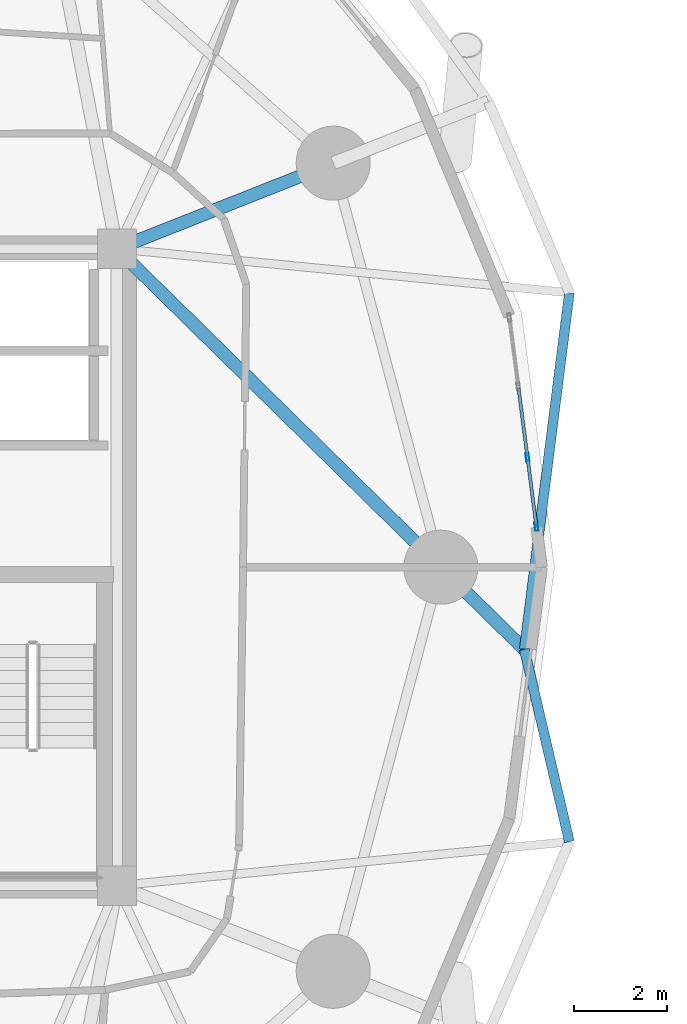
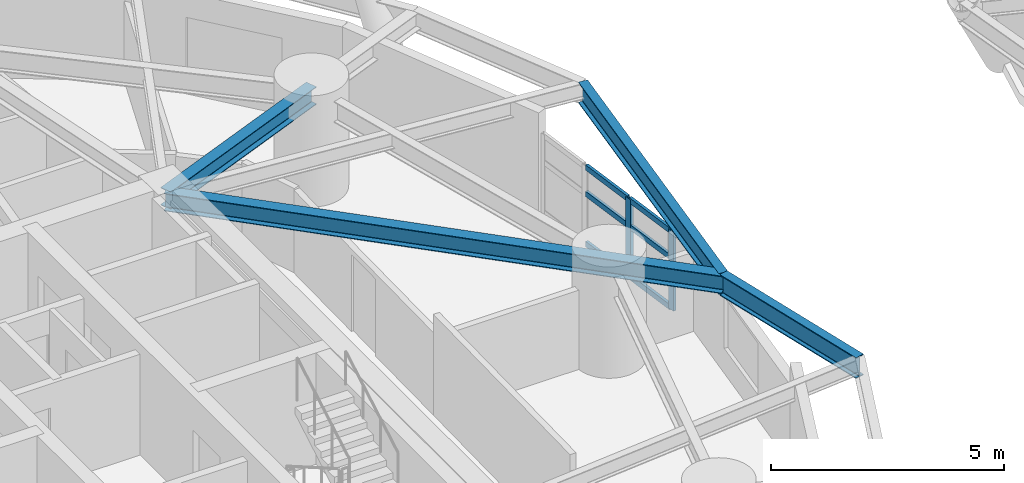
# One storey, part 2 of 17: 8 members, 4 beams, 1 element without a shape of its own.
"""IFC4 building model written with IfcOpenShell, lengths in metres."""

from ifc_helpers import new_model, si_unit, direction, frame, origin, origin_2d, place, context, subcontext, project, spatial, hollow_rectangle, i_section, extrude, material, layer, layer_set, material_profile, profile_set, type_object, element, aggregate, save


model = new_model("IFC4")

# Units and contexts
model_context = context("Model", 3, precision=1e-05, world=origin(), true_north=direction((0.0, 1.0)))
body_context = subcontext(model_context, "Body", "Model", "MODEL_VIEW")
ifc_project = project(units=[si_unit("LENGTHUNIT", "METRE"), si_unit("AREAUNIT", "SQUARE_METRE"), si_unit("VOLUMEUNIT", "CUBIC_METRE"), si_unit("PLANEANGLEUNIT", "RADIAN"), si_unit("MASSUNIT", "GRAM", prefix="KILO")], contexts=[model_context])

# Site, building, storey
site_placement = place(None, origin())
site = spatial("IfcSite", under=ifc_project, at=site_placement, CompositionType="ELEMENT")
building_placement = place(site_placement, origin())
building = spatial("IfcBuilding", under=site, at=building_placement, Name="Cununo Teusaquillo Station Towers", CompositionType="ELEMENT")
storey_placement = place(building_placement, frame((0.0, 0.0, 27.820068359375)))
storey = spatial("IfcBuildingStorey", under=building, at=storey_placement, Name="L07", CompositionType="ELEMENT", Elevation=27.820068359375)

# Beams
ifc_material_1 = material(Name="Steel ASTM A572 Grade 50", Category="steel")
ifc_material_profile_1 = material_profile(ifc_material_1, i_section(OverallWidth=0.280029296875, OverallDepth=0.462890625, WebThickness=0.0107421875, FlangeThickness=0.017333984375, FilletRadius=0.013916015625, at=origin_2d()), Name="W18X76")
ifc_profile_set_1 = profile_set([ifc_material_profile_1], Name="Steel ASTM A572 Grade 50")
beam_type_1 = type_object("IfcBeamType", Name="BM-RAD-G1", PredefinedType="BEAM", material=ifc_profile_set_1)
beam_1_placement = place(storey_placement, frame((21.675048828125, 31.3798828125, 2.41845703125), z_axis=(0.713055489462, -0.701107601548, 0.0), x_axis=(0.701107601548, 0.713055489462, 0.0)))
element("IfcBeam", 1, at=beam_1_placement, inside=storey, type_object=beam_type_1, Name="L07 Tower A Continuous Overhanging Radial Girder 01", PredefinedType="BEAM", context=body_context, shape_type="SweptSolid", body=[
    extrude(i_section(OverallWidth=0.280029296875, OverallDepth=0.462890625, WebThickness=0.0107421875, FlangeThickness=0.017333984375, FilletRadius=0.013916015625, at=origin_2d()), origin(), (0.0, 0.0, 1.0), 12.342041015625),
])
beam_2_placement = place(storey_placement, frame((21.675048828125, 31.3798828125, 2.41845703125), z_axis=(0.929864104313, 0.367903176814, 0.0), x_axis=(-0.367903176814, 0.929864104313, 0.0)))
element("IfcBeam", 2, at=beam_2_placement, inside=storey, type_object=beam_type_1, Name="L07 Tower A Radial Girder 02A", PredefinedType="BEAM", context=body_context, shape_type="SweptSolid", body=[
    extrude(i_section(OverallWidth=0.280029296875, OverallDepth=0.462890625, WebThickness=0.0107421875, FlangeThickness=0.017333984375, FilletRadius=0.013916015625, at=origin_2d()), origin(), (0.0, 0.0, 1.0), 5.02490234375),
])
ifc_material_2 = material(Name="Steel ASTM A572 Grade 50", Category="steel")
ifc_material_profile_2 = material_profile(ifc_material_2, i_section(OverallWidth=0.214111328125, OverallDepth=0.549072265625, WebThickness=0.0146484375, FlangeThickness=0.023681640625, FilletRadius=0.014892578125, at=origin_2d()), Name="W21X93")
ifc_profile_set_2 = profile_set([ifc_material_profile_2], Name="Steel ASTM A572 Grade 50")
beam_type_2 = type_object("IfcBeamType", Name="BM-RING-Z1", PredefinedType="SPANDREL", material=ifc_profile_set_2)
beam_3_placement = place(storey_placement, frame((30.4755859375, 22.726806640625, 2.37548828125), z_axis=(0.125458746224, 0.992098837312, 0.0), x_axis=(-0.992098837312, 0.125458746224, 0.0)))
element("IfcBeam", 3, at=beam_3_placement, inside=storey, type_object=beam_type_2, Name="L07 Tower A Spandrel Ring Beam 01", PredefinedType="SPANDREL", context=body_context, shape_type="SweptSolid", body=[
    extrude(i_section(OverallWidth=0.214111328125, OverallDepth=0.549072265625, WebThickness=0.0146484375, FlangeThickness=0.023681640625, FilletRadius=0.014892578125, at=origin_2d()), origin(), (0.0, 0.0, 1.0), 7.764404296875),
])
beam_4_placement = place(storey_placement, frame((31.44970703125, 18.570068359375, 2.37548828125), z_axis=(-0.228165913287, 0.97362226557, 0.0), x_axis=(-0.97362226557, -0.228165913287, 0.0)))
element("IfcBeam", 4, at=beam_4_placement, inside=storey, type_object=beam_type_2, Name="L07 Tower A Spandrel Ring Beam 20", PredefinedType="SPANDREL", context=body_context, shape_type="SweptSolid", body=[
    extrude(i_section(OverallWidth=0.214111328125, OverallDepth=0.549072265625, WebThickness=0.0146484375, FlangeThickness=0.023681640625, FilletRadius=0.014892578125, at=origin_2d()), origin(), (0.0, 0.0, 1.0), 4.269287109375),
])

# Curtain wall, members
ifc_material_3 = material(Name="Ceramic-fritted dark low-E double glazing", Category="glass")
ifc_layer = layer(ifc_material_3, 0.179931640625)
ifc_layer_set = layer_set([ifc_layer], Name="Ceramic-fritted dark low-E double glazing")
curtain_wall_type = type_object("IfcCurtainWallType", Name="CW-SYS-02", PredefinedType="USERDEFINED", material=ifc_layer_set)
curtain_wall_placement = place(storey_placement, origin())
curtain_wall = element("IfcCurtainWall", 5, at=curtain_wall_placement, inside=storey, type_object=curtain_wall_type, Name="L07 Tower A Facade Curtain Wall C00", ObjectType="FRITTED GLAZING", PredefinedType="USERDEFINED")
ifc_material_4 = material(Name="Anodised dark bronze aluminium EN AW-6063-T6", Category="aluminium")
ifc_material_profile_3 = material_profile(ifc_material_4, hollow_rectangle(XDim=0.070068359375, YDim=0.179931640625, WallThickness=0.00390625, at=origin_2d()), Name="CW-MULL-70x180")
ifc_profile_set_3 = profile_set([ifc_material_profile_3], Name="Anodised dark bronze aluminium EN AW-6063-T6")
member_type_1 = type_object("IfcMemberType", Name="CWM-180", PredefinedType="MULLION", material=ifc_profile_set_3)
member_1_placement = place(storey_placement, frame((30.544189453125, 26.871826171875, 0.0), z_axis=(0.0, 0.0, 1.0), x_axis=(0.991736471431, 0.128291742659, 0.0)))
member_1 = element("IfcMember", 6, at=member_1_placement, type_object=member_type_1, Name="CW-02 mullion 3", PredefinedType="MULLION", context=body_context, shape_type="SweptSolid", body=[
    extrude(hollow_rectangle(XDim=0.070068359375, YDim=0.179931640625, WallThickness=0.00390625, at=origin_2d()), origin(), (0.0, 0.0, 1.0), 2.072998046875),
])
member_2_placement = place(storey_placement, frame((30.7373046875, 25.377685546875, 0.0), z_axis=(0.0, 0.0, 1.0), x_axis=(0.991736471431, 0.128291742659, 0.0)))
member_2 = element("IfcMember", 7, at=member_2_placement, type_object=member_type_1, Name="CW-02 mullion 4", PredefinedType="MULLION", context=body_context, shape_type="SweptSolid", body=[
    extrude(hollow_rectangle(XDim=0.070068359375, YDim=0.179931640625, WallThickness=0.00390625, at=origin_2d()), origin(), (0.0, 0.0, 1.0), 2.072998046875),
])
ifc_material_5 = material(Name="Anodised dark bronze aluminium EN AW-6063-T6", Category="aluminium")
ifc_material_profile_4 = material_profile(ifc_material_5, hollow_rectangle(XDim=0.070068359375, YDim=0.139892578125, WallThickness=0.00390625, at=origin_2d()), Name="CW-TRAN-70x140")
ifc_profile_set_4 = profile_set([ifc_material_profile_4], Name="Anodised dark bronze aluminium EN AW-6063-T6")
member_type_2 = type_object("IfcMemberType", Name="CWT-140", PredefinedType="USERDEFINED", material=ifc_profile_set_4)
member_3_placement = place(storey_placement, frame((30.350830078125, 28.365966796875, 0.034912109375), z_axis=(0.128239793583, -0.991743190217, 0.0), x_axis=(0.991743190217, 0.128239793583, 0.0)))
member_3 = element("IfcMember", 8, at=member_3_placement, type_object=member_type_2, Name="CW-02 transom 2.1", ObjectType="TRANSOM", PredefinedType="USERDEFINED", context=body_context, shape_type="SweptSolid", body=[
    extrude(hollow_rectangle(XDim=0.070068359375, YDim=0.139892578125, WallThickness=0.00390625, at=origin_2d()), origin(), (0.0, 0.0, 1.0), 1.4716796875),
])
member_4_placement = place(storey_placement, frame((30.350830078125, 28.365966796875, 1.346923828125), z_axis=(0.128239793583, -0.991743190217, 0.0), x_axis=(0.991743190217, 0.128239793583, 0.0)))
member_4 = element("IfcMember", 9, at=member_4_placement, type_object=member_type_2, Name="CW-02 transom 2.2", ObjectType="TRANSOM", PredefinedType="USERDEFINED", context=body_context, shape_type="SweptSolid", body=[
    extrude(hollow_rectangle(XDim=0.070068359375, YDim=0.139892578125, WallThickness=0.00390625, at=origin_2d()), origin(), (0.0, 0.0, 1.0), 1.4716796875),
])
member_5_placement = place(storey_placement, frame((30.350830078125, 28.365966796875, 2.037841796875), z_axis=(0.128239793583, -0.991743190217, 0.0), x_axis=(0.991743190217, 0.128239793583, 0.0)))
member_5 = element("IfcMember", 10, at=member_5_placement, type_object=member_type_2, Name="CW-02 transom 2.3", ObjectType="TRANSOM", PredefinedType="USERDEFINED", context=body_context, shape_type="SweptSolid", body=[
    extrude(hollow_rectangle(XDim=0.070068359375, YDim=0.139892578125, WallThickness=0.00390625, at=origin_2d()), origin(), (0.0, 0.0, 1.0), 1.4716796875),
])
member_6_placement = place(storey_placement, frame((30.548583984375, 26.837158203125, 0.034912109375), z_axis=(0.128300240902, -0.991735372055, 0.0), x_axis=(0.991735372055, 0.128300240902, 0.0)))
member_6 = element("IfcMember", 11, at=member_6_placement, type_object=member_type_2, Name="CW-02 transom 3.1", ObjectType="TRANSOM", PredefinedType="USERDEFINED", context=body_context, shape_type="SweptSolid", body=[
    extrude(hollow_rectangle(XDim=0.070068359375, YDim=0.139892578125, WallThickness=0.00390625, at=origin_2d()), origin(), (0.0, 0.0, 1.0), 1.436767578125),
])
member_7_placement = place(storey_placement, frame((30.548583984375, 26.837158203125, 1.346923828125), z_axis=(0.128300240902, -0.991735372055, 0.0), x_axis=(0.991735372055, 0.128300240902, 0.0)))
member_7 = element("IfcMember", 12, at=member_7_placement, type_object=member_type_2, Name="CW-02 transom 3.2", ObjectType="TRANSOM", PredefinedType="USERDEFINED", context=body_context, shape_type="SweptSolid", body=[
    extrude(hollow_rectangle(XDim=0.070068359375, YDim=0.139892578125, WallThickness=0.00390625, at=origin_2d()), origin(), (0.0, 0.0, 1.0), 1.436767578125),
])
member_8_placement = place(storey_placement, frame((30.548583984375, 26.837158203125, 2.037841796875), z_axis=(0.128300240902, -0.991735372055, 0.0), x_axis=(0.991735372055, 0.128300240902, 0.0)))
member_8 = element("IfcMember", 13, at=member_8_placement, type_object=member_type_2, Name="CW-02 transom 3.3", ObjectType="TRANSOM", PredefinedType="USERDEFINED", context=body_context, shape_type="SweptSolid", body=[
    extrude(hollow_rectangle(XDim=0.070068359375, YDim=0.139892578125, WallThickness=0.00390625, at=origin_2d()), origin(), (0.0, 0.0, 1.0), 1.436767578125),
])
aggregate(curtain_wall, [member_1, member_2, member_3, member_4, member_5, member_6, member_7, member_8])

save(model, "model.ifc")
